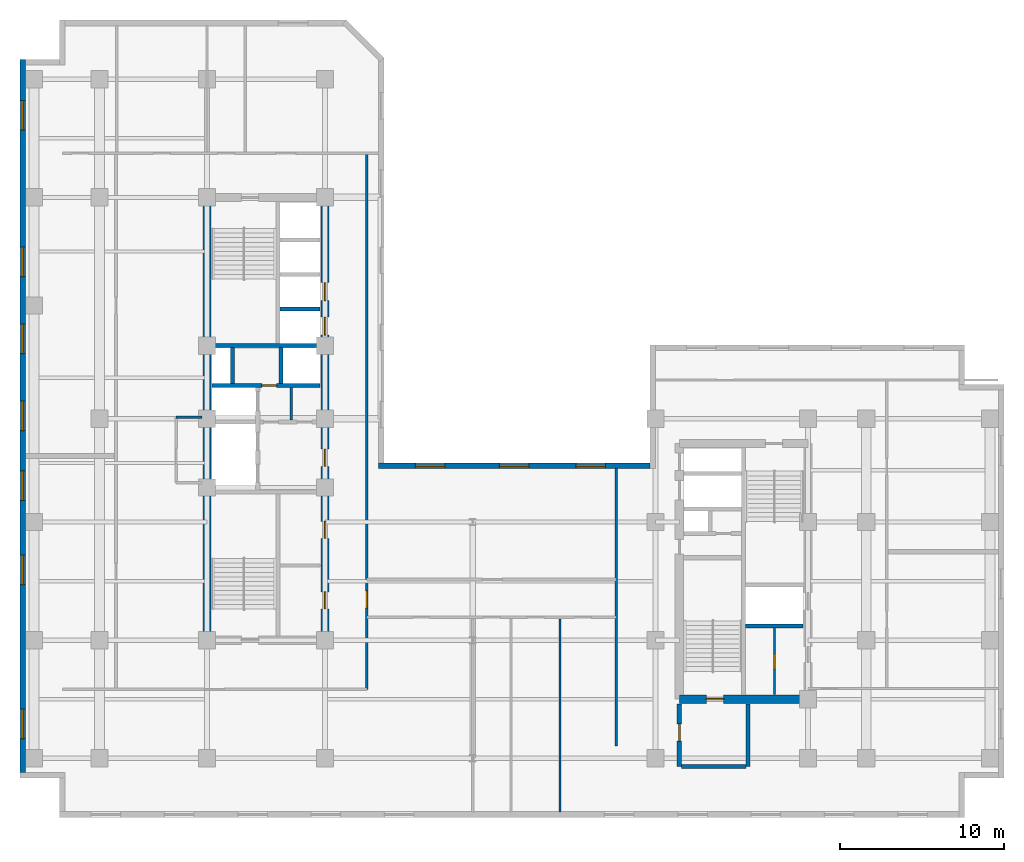
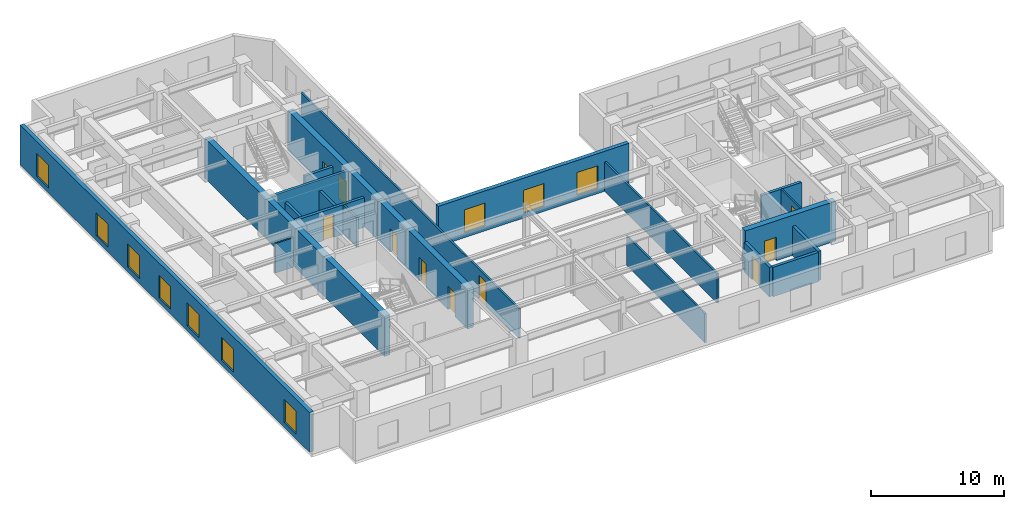
# One storey, part 4 of 9: 21 walls, 10 doors, 10 windows, 20 openings.
"""IFC4 building model written with IfcOpenShell, lengths in metres."""

from ifc_helpers import new_model, entity, si_unit, converted_unit, direction, frame, origin_with_axes, origin_2d_with_axis, place, context, subcontext, project, spatial, polyline, rectangle, outline, extrude, material, layer, layer_set, type_object, element, fill, save


model = new_model("IFC4")

# Units and contexts
model_context = context("Model", 3, precision=1e-05, world=origin_with_axes(), true_north=direction((0.0, 1.0)))
body_context = subcontext(model_context, "Body", "Model", "MODEL_VIEW")
ifc_project = project(units=[si_unit("LENGTHUNIT", "METRE"), si_unit("AREAUNIT", "SQUARE_METRE"), si_unit("VOLUMEUNIT", "CUBIC_METRE"), converted_unit("PLANEANGLEUNIT", "DEGREE", entity("IfcPlaneAngleMeasure", 0.017453292519943295), si_unit("PLANEANGLEUNIT", "RADIAN"), dimensions=[0, 0, 0, 0, 0, 0, 0]), si_unit("MASSUNIT", "GRAM", prefix="KILO"), si_unit("THERMODYNAMICTEMPERATUREUNIT", "KELVIN")], contexts=[model_context])

# Site, building, storey
site_placement = place(None, origin_with_axes())
site = spatial("IfcSite", under=ifc_project, at=site_placement, CompositionType="ELEMENT")
building_placement = place(site_placement, origin_with_axes())
building = spatial("IfcBuilding", under=site, at=building_placement, Name="Varnlund Millrace Tower", CompositionType="ELEMENT")
storey_placement = place(building_placement, frame((0.0, 0.0, 144.6), z_axis=(0.0, 0.0, 1.0), x_axis=(1.0, 0.0, 0.0)))
storey = spatial("IfcBuildingStorey", under=building, at=storey_placement, Name="L35", CompositionType="ELEMENT", Elevation=144.6)

# Wall
ifc_material_1 = material(Name="Concrete C70/85", Category="concrete")
ifc_layer_1 = layer(ifc_material_1, 0.5, Name="Concrete C70/85")
ifc_layer_set_1 = layer_set([ifc_layer_1], Name="Concrete C70/85")
wall_type_1 = type_object("IfcWallType", Name="Type-CoreWall-Shear-500-C70", PredefinedType="SHEAR", material=ifc_layer_set_1)
wall_1_placement = place(storey_placement, frame((11.4, 10.8, 0.0), z_axis=(0.0, 0.0, 1.0), x_axis=(0.0, 1.0, 0.0)))
element("IfcWall", 1, at=wall_1_placement, inside=storey, type_object=wall_type_1, Name="Type-CoreWall-Shear-500-C70", PredefinedType="SHEAR", context=body_context, shape_type="SweptSolid", body=[
    extrude(outline(polyline([(0.0, -0.25), (27.0, -0.25), (27.0, 0.25), (0.0, 0.25), (0.0, -0.25)])), origin_with_axes(), (0.0, 0.0, 1.0), 3.66),
])

# Wall, openings, doors
wall_2_placement = place(storey_placement, frame((18.6, 10.8, 0.0), z_axis=(0.0, 0.0, 1.0), x_axis=(0.0, 1.0, 0.0)))
wall_2 = element("IfcWall", 2, at=wall_2_placement, inside=storey, type_object=wall_type_1, Name="Type-CoreWall-Shear-500-C70", PredefinedType="SHEAR", context=body_context, shape_type="SweptSolid", body=[
    extrude(outline(polyline([(0.0, -0.25), (13.5, -0.25), (13.5, 0.25), (0.0, 0.25), (0.0, -0.25)])), origin_with_axes(), (0.0, 0.0, 1.0), 3.66),
])
opening_1_placement = place(wall_2_placement, frame((11.125, 0.0, 0.0), z_axis=(0.0, 0.0, 1.0), x_axis=(1.0, 0.0, 0.0)))
opening_1 = element("IfcOpeningElement", 3, at=opening_1_placement, cuts=wall_2, Name="Opening L35:DR-FFLOB-A", PredefinedType="OPENING", context=body_context, shape_type="SweptSolid", body=[
    extrude(rectangle(XDim=1.05, YDim=0.52, at=origin_2d_with_axis()), origin_with_axes(), (0.0, 0.0, 1.0), 2.15),
])
opening_2_placement = place(wall_2_placement, frame((2.425, 0.0, 0.0), z_axis=(0.0, 0.0, 1.0), x_axis=(1.0, 0.0, 0.0)))
opening_2 = element("IfcOpeningElement", 4, at=opening_2_placement, cuts=wall_2, Name="Opening L35:DR-RECL-A1-1", PredefinedType="OPENING", context=body_context, shape_type="SweptSolid", body=[
    extrude(rectangle(XDim=1.05, YDim=0.52, at=origin_2d_with_axis()), origin_with_axes(), (0.0, 0.0, 1.0), 2.15),
])
opening_3_placement = place(wall_2_placement, frame((6.725, 0.0, 0.0), z_axis=(0.0, 0.0, 1.0), x_axis=(1.0, 0.0, 0.0)))
opening_3 = element("IfcOpeningElement", 5, at=opening_3_placement, cuts=wall_2, Name="Opening L35:DR-RECL-A1-2", PredefinedType="OPENING", context=body_context, shape_type="SweptSolid", body=[
    extrude(rectangle(XDim=1.05, YDim=0.52, at=origin_2d_with_axis()), origin_with_axes(), (0.0, 0.0, 1.0), 2.15),
])
ifc_material_2 = material(Name="Smoke-barrier hollow steel fire door", Category="steel")
door_type_1 = type_object("IfcDoorType", Name="Type-FireDoor-Lobby-1050X2150", OperationType="NOTDEFINED", PredefinedType="DOOR", material=ifc_material_2)
door_1_placement = place(wall_2_placement, frame((11.125, 0.0, 0.0), z_axis=(0.0, 0.0, 1.0), x_axis=(1.0, 0.0, 0.0)))
door_1 = element("IfcDoor", 6, at=door_1_placement, inside=storey, type_object=door_type_1, Name="Type-FireDoor-Lobby-1050X2150", OperationType="SINGLE_SWING_LEFT", OverallHeight=2.15, OverallWidth=1.05, PredefinedType="DOOR", context=body_context, shape_type="SweptSolid", body=[
    extrude(rectangle(XDim=1.05, YDim=0.09, at=origin_2d_with_axis()), origin_with_axes(), (0.0, 0.0, 1.0), 2.15),
])
fill(opening_1, door_1)
door_2_placement = place(wall_2_placement, frame((2.425, 0.0, 0.0), z_axis=(0.0, 0.0, 1.0), x_axis=(1.0, 0.0, 0.0)))
door_2 = element("IfcDoor", 7, at=door_2_placement, inside=storey, type_object=door_type_1, Name="Type-FireDoor-Lobby-1050X2150", OperationType="SINGLE_SWING_LEFT", OverallHeight=2.15, OverallWidth=1.05, PredefinedType="DOOR", context=body_context, shape_type="SweptSolid", body=[
    extrude(rectangle(XDim=1.05, YDim=0.09, at=origin_2d_with_axis()), origin_with_axes(), (0.0, 0.0, 1.0), 2.15),
])
fill(opening_2, door_2)
door_3_placement = place(wall_2_placement, frame((6.725, 0.0, 0.0), z_axis=(0.0, 0.0, 1.0), x_axis=(1.0, 0.0, 0.0)))
door_3 = element("IfcDoor", 8, at=door_3_placement, inside=storey, type_object=door_type_1, Name="Type-FireDoor-Lobby-1050X2150", OperationType="SINGLE_SWING_RIGHT", OverallHeight=2.15, OverallWidth=1.05, PredefinedType="DOOR", context=body_context, shape_type="SweptSolid", body=[
    extrude(rectangle(XDim=1.05, YDim=0.09, at=origin_2d_with_axis()), origin_with_axes(), (0.0, 0.0, 1.0), 2.15),
])
fill(opening_3, door_3)

wall_3_placement = place(storey_placement, frame((18.6, 24.3, 0.0), z_axis=(0.0, 0.0, 1.0), x_axis=(0.0, 1.0, 0.0)))
wall_3 = element("IfcWall", 9, at=wall_3_placement, inside=storey, type_object=wall_type_1, Name="Type-CoreWall-Shear-500-C70", PredefinedType="SHEAR", context=body_context, shape_type="SweptSolid", body=[
    extrude(outline(polyline([(0.0, -0.25), (13.5, -0.25), (13.5, 0.25), (0.0, 0.25), (0.0, -0.25)])), origin_with_axes(), (0.0, 0.0, 1.0), 3.66),
])
opening_4_placement = place(wall_3_placement, frame((5.65, 0.0, 0.0), z_axis=(0.0, 0.0, 1.0), x_axis=(1.0, 0.0, 0.0)))
opening_4 = element("IfcOpeningElement", 10, at=opening_4_placement, cuts=wall_3, Name="Opening L35:LD-ELV-M1", PredefinedType="OPENING", context=body_context, shape_type="SweptSolid", body=[
    extrude(rectangle(XDim=1.1, YDim=0.52, at=origin_2d_with_axis()), origin_with_axes(), (0.0, 0.0, 1.0), 2.15),
])
opening_5_placement = place(wall_3_placement, frame((7.75, 0.0, 0.0), z_axis=(0.0, 0.0, 1.0), x_axis=(1.0, 0.0, 0.0)))
opening_5 = element("IfcOpeningElement", 11, at=opening_5_placement, cuts=wall_3, Name="Opening L35:LD-ELV-M2", PredefinedType="OPENING", context=body_context, shape_type="SweptSolid", body=[
    extrude(rectangle(XDim=1.1, YDim=0.52, at=origin_2d_with_axis()), origin_with_axes(), (0.0, 0.0, 1.0), 2.15),
])
ifc_material_3 = material(Name="Stainless and architectural bronze sliding landing door")
door_type_2 = type_object("IfcDoorType", Name="Type-LiftLandingDoor-1100X2150", OperationType="NOTDEFINED", PredefinedType="DOOR", material=ifc_material_3)
door_4_placement = place(wall_3_placement, frame((5.65, 0.0, 0.0), z_axis=(0.0, 0.0, 1.0), x_axis=(1.0, 0.0, 0.0)))
door_4 = element("IfcDoor", 12, at=door_4_placement, inside=storey, type_object=door_type_2, Name="Type-LiftLandingDoor-1100X2150", OperationType="SLIDING_TO_LEFT", OverallHeight=2.15, OverallWidth=1.1, PredefinedType="DOOR", context=body_context, shape_type="SweptSolid", body=[
    extrude(rectangle(XDim=1.1, YDim=0.09, at=origin_2d_with_axis()), origin_with_axes(), (0.0, 0.0, 1.0), 2.15),
])
fill(opening_4, door_4)
door_5_placement = place(wall_3_placement, frame((7.75, 0.0, 0.0), z_axis=(0.0, 0.0, 1.0), x_axis=(1.0, 0.0, 0.0)))
door_5 = element("IfcDoor", 13, at=door_5_placement, inside=storey, type_object=door_type_2, Name="Type-LiftLandingDoor-1100X2150", OperationType="SLIDING_TO_RIGHT", OverallHeight=2.15, OverallWidth=1.1, PredefinedType="DOOR", context=body_context, shape_type="SweptSolid", body=[
    extrude(rectangle(XDim=1.1, YDim=0.09, at=origin_2d_with_axis()), origin_with_axes(), (0.0, 0.0, 1.0), 2.15),
])
fill(opening_5, door_5)

# Wall, opening, door
wall_4_placement = place(storey_placement, frame((40.2, 7.2, 0.0), z_axis=(0.0, 0.0, 1.0), x_axis=(1.0, 0.0, 0.0)))
wall_4 = element("IfcWall", 14, at=wall_4_placement, inside=storey, type_object=wall_type_1, Name="Type-CoreWall-Shear-500-C70", PredefinedType="SHEAR", context=body_context, shape_type="SweptSolid", body=[
    extrude(outline(polyline([(0.0, -0.25), (7.85, -0.25), (7.85, 0.25), (0.0, 0.25), (0.0, -0.25)])), origin_with_axes(), (0.0, 0.0, 1.0), 3.66),
])
opening_6_placement = place(wall_4_placement, frame((2.175, 0.0, 0.0), z_axis=(0.0, 0.0, 1.0), x_axis=(1.0, 0.0, 0.0)))
opening_6 = element("IfcOpeningElement", 15, at=opening_6_placement, cuts=wall_4, Name="Opening L35:DR-STB1", PredefinedType="OPENING", context=body_context, shape_type="SweptSolid", body=[
    extrude(rectangle(XDim=1.05, YDim=0.52, at=origin_2d_with_axis()), origin_with_axes(), (0.0, 0.0, 1.0), 2.15),
])
ifc_material_4 = material(Name="Fire-rated hollow steel door", Category="steel")
door_type_3 = type_object("IfcDoorType", Name="Type-FireDoor-Stair-1050X2150", OperationType="NOTDEFINED", PredefinedType="DOOR", material=ifc_material_4)
door_6_placement = place(wall_4_placement, frame((2.175, 0.0, 0.0), z_axis=(0.0, 0.0, 1.0), x_axis=(1.0, 0.0, 0.0)))
door_6 = element("IfcDoor", 16, at=door_6_placement, inside=storey, type_object=door_type_3, Name="Type-FireDoor-Stair-1050X2150", OperationType="SINGLE_SWING_LEFT", OverallHeight=2.15, OverallWidth=1.05, PredefinedType="DOOR", context=body_context, shape_type="SweptSolid", body=[
    extrude(rectangle(XDim=1.05, YDim=0.09, at=origin_2d_with_axis()), origin_with_axes(), (0.0, 0.0, 1.0), 2.15),
])
fill(opening_6, door_6)

# Wall, openings, windows
ifc_material_5 = material(Name="Precast concrete C50/60", Category="concrete")
ifc_layer_2 = layer(ifc_material_5, 0.34, Name="Precast concrete C50/60")
ifc_layer_set_2 = layer_set([ifc_layer_2], Name="Precast concrete C50/60")
wall_type_2 = type_object("IfcWallType", Name="Type-ExtWall-Precast-Upper-340", PredefinedType="SOLIDWALL", material=ifc_layer_set_2)
wall_5_placement = place(storey_placement, frame((0.17, 2.74, 0.0), z_axis=(0.0, 0.0, 1.0), x_axis=(0.0, 1.0, 0.0)))
wall_5 = element("IfcWall", 17, at=wall_5_placement, inside=storey, type_object=wall_type_2, Name="Type-ExtWall-Precast-Upper-340", PredefinedType="SOLIDWALL", context=body_context, shape_type="SweptSolid", body=[
    extrude(outline(polyline([(0.0, -0.17), (43.46, -0.17), (43.46, 0.17), (0.0, 0.17), (0.0, -0.17)])), origin_with_axes(), (0.0, 0.0, 1.0), 3.66),
])
opening_7_placement = place(wall_5_placement, frame((2.948, 0.0, 0.45), z_axis=(0.0, 0.0, 1.0), x_axis=(1.0, 0.0, 0.0)))
opening_7 = element("IfcOpeningElement", 18, at=opening_7_placement, cuts=wall_5, Name="Opening L35:WN-18", PredefinedType="OPENING", context=body_context, shape_type="SweptSolid", body=[
    extrude(rectangle(XDim=1.8, YDim=0.36, at=origin_2d_with_axis()), origin_with_axes(), (0.0, 0.0, 1.0), 2.1),
])
opening_8_placement = place(wall_5_placement, frame((12.339, 0.0, 0.45), z_axis=(0.0, 0.0, 1.0), x_axis=(1.0, 0.0, 0.0)))
opening_8 = element("IfcOpeningElement", 19, at=opening_8_placement, cuts=wall_5, Name="Opening L35:WN-19", PredefinedType="OPENING", context=body_context, shape_type="SweptSolid", body=[
    extrude(rectangle(XDim=1.8, YDim=0.36, at=origin_2d_with_axis()), origin_with_axes(), (0.0, 0.0, 1.0), 2.1),
])
opening_9_placement = place(wall_5_placement, frame((17.484, 0.0, 0.45), z_axis=(0.0, 0.0, 1.0), x_axis=(1.0, 0.0, 0.0)))
opening_9 = element("IfcOpeningElement", 20, at=opening_9_placement, cuts=wall_5, Name="Opening L35:WN-20", PredefinedType="OPENING", context=body_context, shape_type="SweptSolid", body=[
    extrude(rectangle(XDim=1.8, YDim=0.36, at=origin_2d_with_axis()), origin_with_axes(), (0.0, 0.0, 1.0), 2.1),
])
opening_10_placement = place(wall_5_placement, frame((21.73, 0.0, 0.45), z_axis=(0.0, 0.0, 1.0), x_axis=(1.0, 0.0, 0.0)))
opening_10 = element("IfcOpeningElement", 21, at=opening_10_placement, cuts=wall_5, Name="Opening L35:WN-21", PredefinedType="OPENING", context=body_context, shape_type="SweptSolid", body=[
    extrude(rectangle(XDim=1.8, YDim=0.36, at=origin_2d_with_axis()), origin_with_axes(), (0.0, 0.0, 1.0), 2.1),
])
opening_11_placement = place(wall_5_placement, frame((26.426, 0.0, 0.45), z_axis=(0.0, 0.0, 1.0), x_axis=(1.0, 0.0, 0.0)))
opening_11 = element("IfcOpeningElement", 22, at=opening_11_placement, cuts=wall_5, Name="Opening L35:WN-22", PredefinedType="OPENING", context=body_context, shape_type="SweptSolid", body=[
    extrude(rectangle(XDim=1.8, YDim=0.36, at=origin_2d_with_axis()), origin_with_axes(), (0.0, 0.0, 1.0), 2.1),
])
opening_12_placement = place(wall_5_placement, frame((31.121, 0.0, 0.45), z_axis=(0.0, 0.0, 1.0), x_axis=(1.0, 0.0, 0.0)))
opening_12 = element("IfcOpeningElement", 23, at=opening_12_placement, cuts=wall_5, Name="Opening L35:WN-23", PredefinedType="OPENING", context=body_context, shape_type="SweptSolid", body=[
    extrude(rectangle(XDim=1.8, YDim=0.36, at=origin_2d_with_axis()), origin_with_axes(), (0.0, 0.0, 1.0), 2.1),
])
opening_13_placement = place(wall_5_placement, frame((40.062, 0.0, 0.45), z_axis=(0.0, 0.0, 1.0), x_axis=(1.0, 0.0, 0.0)))
opening_13 = element("IfcOpeningElement", 24, at=opening_13_placement, cuts=wall_5, Name="Opening L35:WN-24", PredefinedType="OPENING", context=body_context, shape_type="SweptSolid", body=[
    extrude(rectangle(XDim=1.8, YDim=0.36, at=origin_2d_with_axis()), origin_with_axes(), (0.0, 0.0, 1.0), 2.1),
])
ifc_material_6 = material(Name="Argon low-e triple glazing in thermally broken bronze frame", Category="glass")
window_type = type_object("IfcWindowType", Name="Type-Window-Punched-1800X2100", PartitioningType="SINGLE_PANEL", PredefinedType="WINDOW", material=ifc_material_6)
window_1_placement = place(wall_5_placement, frame((2.948, 0.0, 0.45), z_axis=(0.0, 0.0, 1.0), x_axis=(1.0, 0.0, 0.0)))
window_1 = element("IfcWindow", 25, at=window_1_placement, inside=storey, type_object=window_type, Name="Type-Window-Punched-1800X2100", OverallHeight=2.1, OverallWidth=1.8, PredefinedType="WINDOW", context=body_context, shape_type="SweptSolid", body=[
    extrude(rectangle(XDim=1.8, YDim=0.09, at=origin_2d_with_axis()), origin_with_axes(), (0.0, 0.0, 1.0), 2.1),
])
fill(opening_7, window_1)
window_2_placement = place(wall_5_placement, frame((12.339, 0.0, 0.45), z_axis=(0.0, 0.0, 1.0), x_axis=(1.0, 0.0, 0.0)))
window_2 = element("IfcWindow", 26, at=window_2_placement, inside=storey, type_object=window_type, Name="Type-Window-Punched-1800X2100", OverallHeight=2.1, OverallWidth=1.8, PredefinedType="WINDOW", context=body_context, shape_type="SweptSolid", body=[
    extrude(rectangle(XDim=1.8, YDim=0.09, at=origin_2d_with_axis()), origin_with_axes(), (0.0, 0.0, 1.0), 2.1),
])
fill(opening_8, window_2)
window_3_placement = place(wall_5_placement, frame((17.484, 0.0, 0.45), z_axis=(0.0, 0.0, 1.0), x_axis=(1.0, 0.0, 0.0)))
window_3 = element("IfcWindow", 27, at=window_3_placement, inside=storey, type_object=window_type, Name="Type-Window-Punched-1800X2100", OverallHeight=2.1, OverallWidth=1.8, PredefinedType="WINDOW", context=body_context, shape_type="SweptSolid", body=[
    extrude(rectangle(XDim=1.8, YDim=0.09, at=origin_2d_with_axis()), origin_with_axes(), (0.0, 0.0, 1.0), 2.1),
])
fill(opening_9, window_3)
window_4_placement = place(wall_5_placement, frame((21.73, 0.0, 0.45), z_axis=(0.0, 0.0, 1.0), x_axis=(1.0, 0.0, 0.0)))
window_4 = element("IfcWindow", 28, at=window_4_placement, inside=storey, type_object=window_type, Name="Type-Window-Punched-1800X2100", OverallHeight=2.1, OverallWidth=1.8, PredefinedType="WINDOW", context=body_context, shape_type="SweptSolid", body=[
    extrude(rectangle(XDim=1.8, YDim=0.09, at=origin_2d_with_axis()), origin_with_axes(), (0.0, 0.0, 1.0), 2.1),
])
fill(opening_10, window_4)
window_5_placement = place(wall_5_placement, frame((26.426, 0.0, 0.45), z_axis=(0.0, 0.0, 1.0), x_axis=(1.0, 0.0, 0.0)))
window_5 = element("IfcWindow", 29, at=window_5_placement, inside=storey, type_object=window_type, Name="Type-Window-Punched-1800X2100", OverallHeight=2.1, OverallWidth=1.8, PredefinedType="WINDOW", context=body_context, shape_type="SweptSolid", body=[
    extrude(rectangle(XDim=1.8, YDim=0.09, at=origin_2d_with_axis()), origin_with_axes(), (0.0, 0.0, 1.0), 2.1),
])
fill(opening_11, window_5)
window_6_placement = place(wall_5_placement, frame((31.121, 0.0, 0.45), z_axis=(0.0, 0.0, 1.0), x_axis=(1.0, 0.0, 0.0)))
window_6 = element("IfcWindow", 30, at=window_6_placement, inside=storey, type_object=window_type, Name="Type-Window-Punched-1800X2100", OverallHeight=2.1, OverallWidth=1.8, PredefinedType="WINDOW", context=body_context, shape_type="SweptSolid", body=[
    extrude(rectangle(XDim=1.8, YDim=0.09, at=origin_2d_with_axis()), origin_with_axes(), (0.0, 0.0, 1.0), 2.1),
])
fill(opening_12, window_6)
window_7_placement = place(wall_5_placement, frame((40.062, 0.0, 0.45), z_axis=(0.0, 0.0, 1.0), x_axis=(1.0, 0.0, 0.0)))
window_7 = element("IfcWindow", 31, at=window_7_placement, inside=storey, type_object=window_type, Name="Type-Window-Punched-1800X2100", OverallHeight=2.1, OverallWidth=1.8, PredefinedType="WINDOW", context=body_context, shape_type="SweptSolid", body=[
    extrude(rectangle(XDim=1.8, YDim=0.09, at=origin_2d_with_axis()), origin_with_axes(), (0.0, 0.0, 1.0), 2.1),
])
fill(opening_13, window_7)

wall_6_placement = place(storey_placement, frame((21.855, 21.43, 0.0), z_axis=(0.0, 0.0, 1.0), x_axis=(1.0, 0.0, 0.0)))
wall_6 = element("IfcWall", 32, at=wall_6_placement, inside=storey, type_object=wall_type_2, Name="Type-ExtWall-Precast-Upper-340", PredefinedType="SOLIDWALL", context=body_context, shape_type="SweptSolid", body=[
    extrude(outline(polyline([(0.0, -0.17), (16.545, -0.17), (16.545, 0.17), (0.0, 0.17), (0.0, -0.17)])), origin_with_axes(), (0.0, 0.0, 1.0), 3.66),
])
opening_14_placement = place(wall_6_placement, frame((3.157, 0.0, 0.45), z_axis=(0.0, 0.0, 1.0), x_axis=(1.0, 0.0, 0.0)))
opening_14 = element("IfcOpeningElement", 33, at=opening_14_placement, cuts=wall_6, Name="Opening L35:WN-31", PredefinedType="OPENING", context=body_context, shape_type="SweptSolid", body=[
    extrude(rectangle(XDim=1.8, YDim=0.36, at=origin_2d_with_axis()), origin_with_axes(), (0.0, 0.0, 1.0), 2.1),
])
opening_15_placement = place(wall_6_placement, frame((8.272, 0.0, 0.45), z_axis=(0.0, 0.0, 1.0), x_axis=(1.0, 0.0, 0.0)))
opening_15 = element("IfcOpeningElement", 34, at=opening_15_placement, cuts=wall_6, Name="Opening L35:WN-32", PredefinedType="OPENING", context=body_context, shape_type="SweptSolid", body=[
    extrude(rectangle(XDim=1.8, YDim=0.36, at=origin_2d_with_axis()), origin_with_axes(), (0.0, 0.0, 1.0), 2.1),
])
opening_16_placement = place(wall_6_placement, frame((12.937, 0.0, 0.45), z_axis=(0.0, 0.0, 1.0), x_axis=(1.0, 0.0, 0.0)))
opening_16 = element("IfcOpeningElement", 35, at=opening_16_placement, cuts=wall_6, Name="Opening L35:WN-33", PredefinedType="OPENING", context=body_context, shape_type="SweptSolid", body=[
    extrude(rectangle(XDim=1.8, YDim=0.36, at=origin_2d_with_axis()), origin_with_axes(), (0.0, 0.0, 1.0), 2.1),
])
window_8_placement = place(wall_6_placement, frame((3.157, 0.0, 0.45), z_axis=(0.0, 0.0, 1.0), x_axis=(1.0, 0.0, 0.0)))
window_8 = element("IfcWindow", 36, at=window_8_placement, inside=storey, type_object=window_type, Name="Type-Window-Punched-1800X2100", OverallHeight=2.1, OverallWidth=1.8, PredefinedType="WINDOW", context=body_context, shape_type="SweptSolid", body=[
    extrude(rectangle(XDim=1.8, YDim=0.09, at=origin_2d_with_axis()), origin_with_axes(), (0.0, 0.0, 1.0), 2.1),
])
fill(opening_14, window_8)
window_9_placement = place(wall_6_placement, frame((8.272, 0.0, 0.45), z_axis=(0.0, 0.0, 1.0), x_axis=(1.0, 0.0, 0.0)))
window_9 = element("IfcWindow", 37, at=window_9_placement, inside=storey, type_object=window_type, Name="Type-Window-Punched-1800X2100", OverallHeight=2.1, OverallWidth=1.8, PredefinedType="WINDOW", context=body_context, shape_type="SweptSolid", body=[
    extrude(rectangle(XDim=1.8, YDim=0.09, at=origin_2d_with_axis()), origin_with_axes(), (0.0, 0.0, 1.0), 2.1),
])
fill(opening_15, window_9)
window_10_placement = place(wall_6_placement, frame((12.937, 0.0, 0.45), z_axis=(0.0, 0.0, 1.0), x_axis=(1.0, 0.0, 0.0)))
window_10 = element("IfcWindow", 38, at=window_10_placement, inside=storey, type_object=window_type, Name="Type-Window-Punched-1800X2100", OverallHeight=2.1, OverallWidth=1.8, PredefinedType="WINDOW", context=body_context, shape_type="SweptSolid", body=[
    extrude(rectangle(XDim=1.8, YDim=0.09, at=origin_2d_with_axis()), origin_with_axes(), (0.0, 0.0, 1.0), 2.1),
])
fill(opening_16, window_10)

# Wall
ifc_material_7 = material(Name="Fire-rated gypsum board on cold-formed steel framing", Category="steel")
ifc_layer_3 = layer(ifc_material_7, 0.16, Name="Fire-rated gypsum board on cold-formed steel framing")
ifc_layer_set_3 = layer_set([ifc_layer_3], Name="Fire-rated gypsum board on cold-formed steel framing")
wall_type_3 = type_object("IfcWallType", Name="Type-Partition-Corridor-160", PredefinedType="PARTITIONING", material=ifc_layer_set_3)
wall_7_placement = place(storey_placement, frame((16.55, 24.22, 0.0), z_axis=(0.0, 0.0, 1.0), x_axis=(0.0, 1.0, 0.0)))
element("IfcWall", 39, at=wall_7_placement, inside=storey, type_object=wall_type_3, Name="Type-Partition-Corridor-160", PredefinedType="PARTITIONING", context=body_context, shape_type="SweptSolid", body=[
    extrude(outline(polyline([(0.0, -0.08), (1.98, -0.08), (1.98, 0.08), (0.0, 0.08), (0.0, -0.08)])), origin_with_axes(), (0.0, 0.0, 1.0), 2.7),
])

# Wall, opening, door
wall_8_placement = place(storey_placement, frame((21.15, 7.8, 0.0), z_axis=(0.0, 0.0, 1.0), x_axis=(0.0, 1.0, 0.0)))
wall_8 = element("IfcWall", 40, at=wall_8_placement, inside=storey, type_object=wall_type_3, Name="Type-Partition-Corridor-160", PredefinedType="PARTITIONING", context=body_context, shape_type="SweptSolid", body=[
    extrude(outline(polyline([(0.0, -0.08), (32.7, -0.08), (32.7, 0.08), (0.0, 0.08), (0.0, -0.08)])), origin_with_axes(), (0.0, 0.0, 1.0), 2.7),
])
opening_17_placement = place(wall_8_placement, frame((5.475, 0.0, 0.0), z_axis=(0.0, 0.0, 1.0), x_axis=(1.0, 0.0, 0.0)))
opening_17 = element("IfcOpeningElement", 41, at=opening_17_placement, cuts=wall_8, Name="Opening L35:DR-KN-W", PredefinedType="OPENING", context=body_context, shape_type="SweptSolid", body=[
    extrude(rectangle(XDim=1.05, YDim=0.18, at=origin_2d_with_axis()), origin_with_axes(), (0.0, 0.0, 1.0), 2.15),
])
door_7_placement = place(wall_8_placement, frame((5.475, 0.0, 0.0), z_axis=(0.0, 0.0, 1.0), x_axis=(1.0, 0.0, 0.0)))
door_7 = element("IfcDoor", 42, at=door_7_placement, inside=storey, type_object=door_type_1, Name="Type-FireDoor-Lobby-1050X2150", OperationType="SINGLE_SWING_LEFT", OverallHeight=2.15, OverallWidth=1.05, PredefinedType="DOOR", context=body_context, shape_type="SweptSolid", body=[
    extrude(rectangle(XDim=1.05, YDim=0.09, at=origin_2d_with_axis()), origin_with_axes(), (0.0, 0.0, 1.0), 2.15),
])
fill(opening_17, door_7)

# Walls
wall_9_placement = place(storey_placement, frame((36.35, 4.35, 0.0), z_axis=(0.0, 0.0, 1.0), x_axis=(0.0, 1.0, 0.0)))
element("IfcWall", 43, at=wall_9_placement, inside=storey, type_object=wall_type_3, Name="Type-Partition-Corridor-160", PredefinedType="PARTITIONING", context=body_context, shape_type="SweptSolid", body=[
    extrude(outline(polyline([(0.0, -0.08), (16.95, -0.08), (16.95, 0.08), (0.0, 0.08), (0.0, -0.08)])), origin_with_axes(), (0.0, 0.0, 1.0), 2.7),
])
ifc_material_8 = material(Name="Acoustic STC-50 gypsum board partition", Category="gypsum")
ifc_layer_4 = layer(ifc_material_8, 0.15, Name="Acoustic STC-50 gypsum board partition")
ifc_layer_set_4 = layer_set([ifc_layer_4], Name="Acoustic STC-50 gypsum board partition")
wall_type_4 = type_object("IfcWallType", Name="Type-Partition-Demising-150", PredefinedType="PARTITIONING", material=ifc_layer_set_4)
wall_10_placement = place(storey_placement, frame((32.928, 0.335, 0.0), z_axis=(0.0, 0.0, 1.0), x_axis=(0.0, 1.0, 0.0)))
element("IfcWall", 44, at=wall_10_placement, inside=storey, type_object=wall_type_4, Name="Type-Partition-Demising-150", PredefinedType="PARTITIONING", context=body_context, shape_type="SweptSolid", body=[
    extrude(outline(polyline([(0.0, -0.075), (11.745, -0.075), (11.745, 0.075), (0.0, 0.075), (0.0, -0.075)])), origin_with_axes(), (0.0, 0.0, 1.0), 2.7),
])
ifc_material_9 = material(Name="Moisture-resistant gypsum restroom partition", Category="gypsum")
ifc_layer_5 = layer(ifc_material_9, 0.14, Name="Moisture-resistant gypsum restroom partition")
ifc_layer_set_5 = layer_set([ifc_layer_5], Name="Moisture-resistant gypsum restroom partition")
wall_type_5 = type_object("IfcWallType", Name="Type-Partition-Wet-140", PredefinedType="PARTITIONING", material=ifc_layer_set_5)
wall_11_placement = place(storey_placement, frame((9.52, 24.4, 0.0), z_axis=(0.0, 0.0, 1.0), x_axis=(1.0, 0.0, 0.0)))
element("IfcWall", 45, at=wall_11_placement, inside=storey, type_object=wall_type_5, Name="Type-Partition-Wet-140", PredefinedType="PARTITIONING", context=body_context, shape_type="SweptSolid", body=[
    extrude(outline(polyline([(0.0, -0.07), (1.58, -0.07), (1.58, 0.07), (0.0, 0.07), (0.0, -0.07)])), origin_with_axes(), (0.0, 0.0, 1.0), 2.7),
])

# Wall, opening, door
wall_12_placement = place(storey_placement, frame((46.0, 7.5, 0.0), z_axis=(0.0, 0.0, 1.0), x_axis=(0.0, 1.0, 0.0)))
wall_12 = element("IfcWall", 46, at=wall_12_placement, inside=storey, type_object=wall_type_5, Name="Type-Partition-Wet-140", PredefinedType="PARTITIONING", context=body_context, shape_type="SweptSolid", body=[
    extrude(outline(polyline([(0.0, -0.07), (4.08, -0.07), (4.08, 0.07), (0.0, 0.07), (0.0, -0.07)])), origin_with_axes(), (0.0, 0.0, 1.0), 2.7),
])
opening_18_placement = place(wall_12_placement, frame((2.0, 0.0, 0.0), z_axis=(0.0, 0.0, 1.0), x_axis=(1.0, 0.0, 0.0)))
opening_18 = element("IfcOpeningElement", 47, at=opening_18_placement, cuts=wall_12, Name="Opening L35:DR-CB-WC1", PredefinedType="OPENING", context=body_context, shape_type="SweptSolid", body=[
    extrude(rectangle(XDim=0.9, YDim=0.16, at=origin_2d_with_axis()), origin_with_axes(), (0.0, 0.0, 1.0), 2.15),
])
ifc_material_10 = material(Name="Painted steel riser and closet door", Category="steel")
door_type_4 = type_object("IfcDoorType", Name="Type-IntDoor-Closet-900X2150", OperationType="NOTDEFINED", PredefinedType="DOOR", material=ifc_material_10)
door_8_placement = place(wall_12_placement, frame((2.0, 0.0, 0.0), z_axis=(0.0, 0.0, 1.0), x_axis=(1.0, 0.0, 0.0)))
door_8 = element("IfcDoor", 48, at=door_8_placement, inside=storey, type_object=door_type_4, Name="Type-IntDoor-Closet-900X2150", OperationType="SINGLE_SWING_LEFT", OverallHeight=2.15, OverallWidth=0.9, PredefinedType="DOOR", context=body_context, shape_type="SweptSolid", body=[
    extrude(rectangle(XDim=0.9, YDim=0.084, at=origin_2d_with_axis()), origin_with_axes(), (0.0, 0.0, 1.0), 2.15),
])
fill(opening_18, door_8)

ifc_material_11 = material(Name="Concrete C60/75", Category="concrete")
ifc_layer_6 = layer(ifc_material_11, 0.25, Name="Concrete C60/75")
ifc_layer_set_6 = layer_set([ifc_layer_6], Name="Concrete C60/75")
wall_type_6 = type_object("IfcWallType", Name="Type-ShaftWall-Fire-250", PredefinedType="SOLIDWALL", material=ifc_layer_set_6)
wall_13_placement = place(storey_placement, frame((11.7, 26.325, 0.0), z_axis=(0.0, 0.0, 1.0), x_axis=(1.0, 0.0, 0.0)))
wall_13 = element("IfcWall", 49, at=wall_13_placement, inside=storey, type_object=wall_type_6, Name="Type-ShaftWall-Fire-250", PredefinedType="SOLIDWALL", context=body_context, shape_type="SweptSolid", body=[
    extrude(outline(polyline([(0.0, -0.125), (6.6, -0.125), (6.6, 0.125), (0.0, 0.125), (0.0, -0.125)])), origin_with_axes(), (0.0, 0.0, 1.0), 2.7),
])
opening_19_placement = place(wall_13_placement, frame((3.5, 0.0, 0.0), z_axis=(0.0, 0.0, 1.0), x_axis=(1.0, 0.0, 0.0)))
opening_19 = element("IfcOpeningElement", 50, at=opening_19_placement, cuts=wall_13, Name="Opening L35:DR-CA-ELC", PredefinedType="OPENING", context=body_context, shape_type="SweptSolid", body=[
    extrude(rectangle(XDim=0.9, YDim=0.27, at=origin_2d_with_axis()), origin_with_axes(), (0.0, 0.0, 1.0), 2.15),
])
ifc_material_12 = material(Name="Fire-rated hollow steel service closet door", Category="steel")
door_type_5 = type_object("IfcDoorType", Name="Type-FireDoor-Closet-900X2150", OperationType="NOTDEFINED", PredefinedType="DOOR", material=ifc_material_12)
door_9_placement = place(wall_13_placement, frame((3.5, 0.0, 0.0), z_axis=(0.0, 0.0, 1.0), x_axis=(1.0, 0.0, 0.0)))
door_9 = element("IfcDoor", 51, at=door_9_placement, inside=storey, type_object=door_type_5, Name="Type-FireDoor-Closet-900X2150", OperationType="SINGLE_SWING_LEFT", OverallHeight=2.15, OverallWidth=0.9, PredefinedType="DOOR", context=body_context, shape_type="SweptSolid", body=[
    extrude(rectangle(XDim=0.9, YDim=0.09, at=origin_2d_with_axis()), origin_with_axes(), (0.0, 0.0, 1.0), 2.15),
])
fill(opening_19, door_9)

# Walls
for number, where, z_axis, x_axis, name in (
    (52, (12.96, 26.45, 0.0), (0.0, 0.0, 1.0), (0.0, 1.0, 0.0), "Type-ShaftWall-Fire-250"),
    (53, (15.925, 26.45, 0.0), (0.0, 0.0, 1.0), (0.0, 1.0, 0.0), "Type-ShaftWall-Fire-250"),
):
    element("IfcWall", number, at=place(storey_placement, frame(where, z_axis=z_axis, x_axis=x_axis)), inside=storey, type_object=wall_type_6, Name=name, PredefinedType="SOLIDWALL", context=body_context, shape_type="SweptSolid", body=[
        extrude(outline(polyline([(0.0, -0.125), (2.2, -0.125), (2.2, 0.125), (0.0, 0.125), (0.0, -0.125)])), origin_with_axes(), (0.0, 0.0, 1.0), 2.7),
    ])

# Wall, opening, door
wall_14_placement = place(storey_placement, frame((40.2, 3.1, 0.0), z_axis=(0.0, 0.0, 1.0), x_axis=(0.0, 1.0, 0.0)))
wall_14 = element("IfcWall", 54, at=wall_14_placement, inside=storey, type_object=wall_type_6, Name="Type-ShaftWall-Fire-250", PredefinedType="SOLIDWALL", context=body_context, shape_type="SweptSolid", body=[
    extrude(outline(polyline([(0.0, -0.125), (3.8, -0.125), (3.8, 0.125), (0.0, 0.125), (0.0, -0.125)])), origin_with_axes(), (0.0, 0.0, 1.0), 2.7),
])
opening_20_placement = place(wall_14_placement, frame((2.075, 0.0, 0.0), z_axis=(0.0, 0.0, 1.0), x_axis=(1.0, 0.0, 0.0)))
opening_20 = element("IfcOpeningElement", 55, at=opening_20_placement, cuts=wall_14, Name="Opening L35:DR-FFLOB-B", PredefinedType="OPENING", context=body_context, shape_type="SweptSolid", body=[
    extrude(rectangle(XDim=1.05, YDim=0.27, at=origin_2d_with_axis()), origin_with_axes(), (0.0, 0.0, 1.0), 2.15),
])
door_10_placement = place(wall_14_placement, frame((2.075, 0.0, 0.0), z_axis=(0.0, 0.0, 1.0), x_axis=(1.0, 0.0, 0.0)))
door_10 = element("IfcDoor", 56, at=door_10_placement, inside=storey, type_object=door_type_1, Name="Type-FireDoor-Lobby-1050X2150", OperationType="SINGLE_SWING_LEFT", OverallHeight=2.15, OverallWidth=1.05, PredefinedType="DOOR", context=body_context, shape_type="SweptSolid", body=[
    extrude(rectangle(XDim=1.05, YDim=0.09, at=origin_2d_with_axis()), origin_with_axes(), (0.0, 0.0, 1.0), 2.15),
])
fill(opening_20, door_10)

# Walls
wall_15_placement = place(storey_placement, frame((40.325, 3.1, 0.0), z_axis=(0.0, 0.0, 1.0), x_axis=(1.0, 0.0, 0.0)))
element("IfcWall", 57, at=wall_15_placement, inside=storey, type_object=wall_type_6, Name="Type-ShaftWall-Fire-250", PredefinedType="SOLIDWALL", context=body_context, shape_type="SweptSolid", body=[
    extrude(outline(polyline([(0.0, -0.125), (3.95, -0.125), (3.95, 0.125), (0.0, 0.125), (0.0, -0.125)])), origin_with_axes(), (0.0, 0.0, 1.0), 2.7),
])
wall_16_placement = place(storey_placement, frame((44.4, 3.1, 0.0), z_axis=(0.0, 0.0, 1.0), x_axis=(0.0, 1.0, 0.0)))
element("IfcWall", 58, at=wall_16_placement, inside=storey, type_object=wall_type_6, Name="Type-ShaftWall-Fire-250", PredefinedType="SOLIDWALL", context=body_context, shape_type="SweptSolid", body=[
    extrude(outline(polyline([(0.0, -0.125), (3.8, -0.125), (3.8, 0.125), (0.0, 0.125), (0.0, -0.125)])), origin_with_axes(), (0.0, 0.0, 1.0), 2.7),
])
wall_17_placement = place(storey_placement, frame((15.84, 31.0, 0.0), z_axis=(0.0, 0.0, 1.0), x_axis=(1.0, 0.0, 0.0)))
element("IfcWall", 59, at=wall_17_placement, inside=storey, type_object=wall_type_6, Name="Type-ShaftWall-Fire-250", PredefinedType="SOLIDWALL", context=body_context, shape_type="SweptSolid", body=[
    extrude(outline(polyline([(0.0, -0.125), (2.46, -0.125), (2.46, 0.125), (0.0, 0.125), (0.0, -0.125)])), origin_with_axes(), (0.0, 0.0, 1.0), 2.7),
])
wall_18_placement = place(storey_placement, frame((44.25, 11.66, 0.0), z_axis=(0.0, 0.0, 1.0), x_axis=(1.0, 0.0, 0.0)))
element("IfcWall", 60, at=wall_18_placement, inside=storey, type_object=wall_type_6, Name="Type-ShaftWall-Fire-250", PredefinedType="SOLIDWALL", context=body_context, shape_type="SweptSolid", body=[
    extrude(outline(polyline([(0.0, -0.125), (3.5, -0.125), (3.5, 0.125), (0.0, 0.125), (0.0, -0.125)])), origin_with_axes(), (0.0, 0.0, 1.0), 2.7),
])
wall_type_7 = type_object("IfcWallType", Name="Type-StairWall-Shear-250", PredefinedType="SHEAR", material=ifc_layer_set_6)
wall_19_placement = place(storey_placement, frame((11.65, 28.775, 0.0), z_axis=(0.0, 0.0, 1.0), x_axis=(1.0, 0.0, 0.0)))
element("IfcWall", 61, at=wall_19_placement, inside=storey, type_object=wall_type_7, Name="Type-StairWall-Shear-250", PredefinedType="SHEAR", context=body_context, shape_type="SweptSolid", body=[
    extrude(outline(polyline([(0.0, -0.125), (6.7, -0.125), (6.7, 0.125), (0.0, 0.125), (0.0, -0.125)])), origin_with_axes(), (0.0, 0.0, 1.0), 3.66),
])

save(model, "model.ifc")
